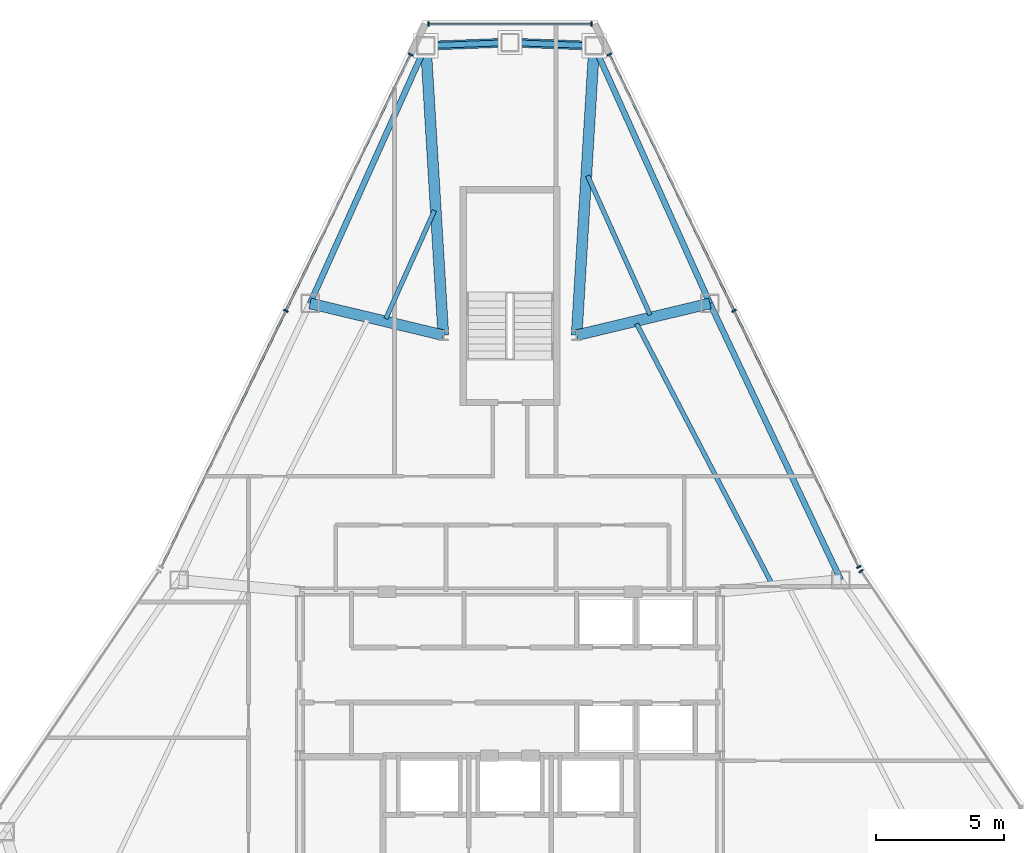
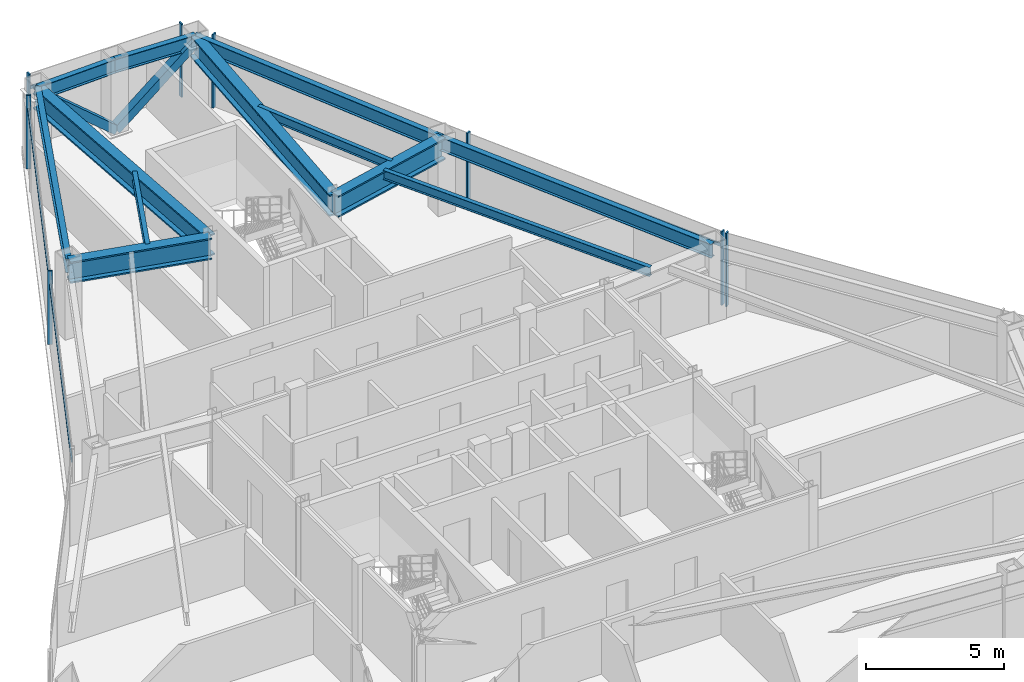
# One storey, part 7 of 12: 13 members, 12 beams, 4 elements without a shape of their own.
"""IFC4 building model written with IfcOpenShell, lengths in metres."""

from ifc_helpers import new_model, si_unit, direction, frame, origin, origin_2d, place, context, subcontext, project, spatial, rectangle, hollow_rectangle, i_section, extrude, source, transform, mapped, material, layer, layer_set, material_profile, profile_set, type_object, type_shapes, element, aggregate, save


model = new_model("IFC4")

# Units and contexts
model_context = context("Model", 3, precision=1e-05, world=origin(), true_north=direction((0.0, 1.0)))
body_context = subcontext(model_context, "Body", "Model", "MODEL_VIEW")
ifc_project = project(units=[si_unit("LENGTHUNIT", "METRE"), si_unit("AREAUNIT", "SQUARE_METRE"), si_unit("VOLUMEUNIT", "CUBIC_METRE"), si_unit("PLANEANGLEUNIT", "RADIAN"), si_unit("MASSUNIT", "GRAM", prefix="KILO")], contexts=[model_context])

# Site, building, storey
site_placement = place(None, origin())
site = spatial("IfcSite", under=ifc_project, at=site_placement, CompositionType="ELEMENT")
building_placement = place(site_placement, origin())
building = spatial("IfcBuilding", under=site, at=building_placement, Name="Varakhsha Concourse Tower", CompositionType="ELEMENT")
storey_placement = place(building_placement, frame((0.0, 0.0, 208.39990234375)))
storey = spatial("IfcBuildingStorey", under=building, at=storey_placement, Name="L59", CompositionType="ELEMENT", Elevation=208.39990234375)

# Beams
ifc_material_1 = material(Name="Structural Steel ASTM A992 Grade 50", Category="steel")
ifc_material_profile_1 = material_profile(ifc_material_1, i_section(OverallWidth=0.177978515625, OverallDepth=0.406982421875, WebThickness=0.008056640625, FlangeThickness=0.012939453125, at=origin_2d()), Name="W16X40")
ifc_profile_set_1 = profile_set([ifc_material_profile_1], Name="Structural Steel ASTM A992 Grade 50")
beam_type_1 = type_object("IfcBeamType", Name="BM-JST-W16X40", PredefinedType="JOIST", material=ifc_profile_set_1)
beam_1_placement = place(storey_placement, frame((37.05419921875, 46.068359375, 3.046630859375), z_axis=(-0.409947870427, -0.912108953762, 0.0), x_axis=(0.912108953762, -0.409947870427, 0.0)))
element("IfcBeam", 1, at=beam_1_placement, inside=storey, type_object=beam_type_1, Name="BM-TJST-L59-03", PredefinedType="JOIST", context=body_context, shape_type="SweptSolid", body=[
    extrude(i_section(OverallWidth=0.177978515625, OverallDepth=0.406982421875, WebThickness=0.008056640625, FlangeThickness=0.012939453125, at=origin_2d()), origin(), (0.0, 0.0, 1.0), 4.6279296875),
])
beam_2_placement = place(storey_placement, frame((50.219970703125, 31.49609375, 3.046630859375), z_axis=(-0.461466246879, 0.887157766686, 0.0), x_axis=(-0.887157766686, -0.461466246879, 0.0)))
element("IfcBeam", 2, at=beam_2_placement, inside=storey, type_object=beam_type_1, Name="BM-TJST-L59-17", PredefinedType="JOIST", context=body_context, shape_type="SweptSolid", body=[
    extrude(i_section(OverallWidth=0.177978515625, OverallDepth=0.406982421875, WebThickness=0.008056640625, FlangeThickness=0.012939453125, at=origin_2d()), origin(), (0.0, 0.0, 1.0), 11.444580078125),
])
beam_3_placement = place(storey_placement, frame((45.466796875, 41.99609375, 3.046630859375), z_axis=(-0.409938117482, 0.912113337166, 0.0), x_axis=(-0.912113337166, -0.409938117482, 0.0)))
element("IfcBeam", 3, at=beam_3_placement, inside=storey, type_object=beam_type_1, Name="BM-TJST-L59-18", PredefinedType="JOIST", context=body_context, shape_type="SweptSolid", body=[
    extrude(i_section(OverallWidth=0.177978515625, OverallDepth=0.406982421875, WebThickness=0.008056640625, FlangeThickness=0.012939453125, at=origin_2d()), origin(), (0.0, 0.0, 1.0), 5.9501953125),
])
ifc_material_profile_2 = material_profile(ifc_material_1, i_section(OverallWidth=0.423095703125, OverallDepth=0.947998046875, WebThickness=0.0380859375, FlangeThickness=0.06396484375, at=origin_2d()), Name="W36X302")
ifc_profile_set_2 = profile_set([ifc_material_profile_2], Name="Structural Steel ASTM A992 Grade 50")
beam_type_2 = type_object("IfcBeamType", Name="BM-OUTR-W36X302", PredefinedType="USERDEFINED", material=ifc_profile_set_2)
for number, where, z_axis, x_axis, name in (
    (4, (42.60009765625, 41.199951171875, 2.776123046875), (0.060381689378, 0.99817536114, 0.0), (-0.99817536114, 0.060381689378, 0.0), "L59 Radial Floor Girder 01"),
    (5, (37.39990234375, 41.199951171875, 2.776123046875), (-0.060381689378, 0.99817536114, 0.0), (-0.99817536114, -0.060381689378, 0.0), "L59 Radial Floor Girder 03"),
):
    element("IfcBeam", number, at=place(storey_placement, frame(where, z_axis=z_axis, x_axis=x_axis)), inside=storey, type_object=beam_type_2, Name=name, ObjectType="GIRDER", PredefinedType="USERDEFINED", context=body_context, shape_type="SweptSolid", body=[
        extrude(i_section(OverallWidth=0.423095703125, OverallDepth=0.947998046875, WebThickness=0.0380859375, FlangeThickness=0.06396484375, at=origin_2d()), origin(), (0.0, 0.0, 1.0), 11.313232421875),
    ])
for number, where, z_axis, x_axis, name in (
    (6, (37.39990234375, 41.199951171875, 2.776123046875), (-0.972612339094, 0.232433297619, 0.0), (-0.232433297619, -0.972612339094, 0.0), "L59 Radial Floor Girder 04"),
    (7, (42.60009765625, 41.199951171875, 2.776123046875), (0.972612339094, 0.232433297619, 0.0), (-0.232433297619, 0.972612339094, 0.0), "L59 Radial Floor Girder 18"),
):
    element("IfcBeam", number, at=place(storey_placement, frame(where, z_axis=z_axis, x_axis=x_axis)), inside=storey, type_object=beam_type_2, Name=name, ObjectType="GIRDER", PredefinedType="USERDEFINED", context=body_context, shape_type="SweptSolid", body=[
        extrude(i_section(OverallWidth=0.423095703125, OverallDepth=0.947998046875, WebThickness=0.0380859375, FlangeThickness=0.06396484375, at=origin_2d()), origin(), (0.0, 0.0, 1.0), 5.346435546875),
    ])
ifc_material_profile_3 = material_profile(ifc_material_1, i_section(OverallWidth=0.22900390625, OverallDepth=0.612060546875, WebThickness=0.011962890625, FlangeThickness=0.02001953125, at=origin_2d()), Name="W24X84")
ifc_profile_set_3 = profile_set([ifc_material_profile_3], Name="Structural Steel ASTM A992 Grade 50")
beam_type_3 = type_object("IfcBeamType", Name="BM-SPAN-W24X84", PredefinedType="SPANDREL", material=ifc_profile_set_3)
for number, where, z_axis, x_axis, name in (
    (8, (43.283203125, 52.492431640625, 2.944091796875), (-0.999273198752, 0.038119211106, 0.0), (-0.038119211106, -0.999273198752, 0.0), "BM-SPAN-L59-01"),
    (9, (40.0, 52.61767578125, 2.944091796875), (-0.999273198752, -0.038119211106, 0.0), (0.038119211106, -0.999273198752, 0.0), "BM-SPAN-L59-02"),
):
    element("IfcBeam", number, at=place(storey_placement, frame(where, z_axis=z_axis, x_axis=x_axis)), inside=storey, type_object=beam_type_3, Name=name, PredefinedType="SPANDREL", context=body_context, shape_type="SweptSolid", body=[
        extrude(i_section(OverallWidth=0.22900390625, OverallDepth=0.612060546875, WebThickness=0.011962890625, FlangeThickness=0.02001953125, at=origin_2d()), origin(), (0.0, 0.0, 1.0), 3.28564453125),
    ])
beam_4_placement = place(storey_placement, frame((36.716796875, 52.492431640625, 2.944091796875), z_axis=(-0.40994450771, -0.912110465129, 0.0), x_axis=(0.912110465129, -0.40994450771, 0.0)))
element("IfcBeam", 10, at=beam_4_placement, inside=storey, type_object=beam_type_3, Name="BM-SPAN-L59-03", PredefinedType="SPANDREL", context=body_context, shape_type="SweptSolid", body=[
    extrude(i_section(OverallWidth=0.22900390625, OverallDepth=0.612060546875, WebThickness=0.011962890625, FlangeThickness=0.02001953125, at=origin_2d()), origin(), (0.0, 0.0, 1.0), 11.01806640625),
])
beam_5_placement = place(storey_placement, frame((52.90625, 31.651611328125, 2.944091796875), z_axis=(-0.427721486509, 0.903910576318, 0.0), x_axis=(-0.903910576318, -0.427721486509, 0.0)))
element("IfcBeam", 11, at=beam_5_placement, inside=storey, type_object=beam_type_3, Name="BM-SPAN-L59-17", PredefinedType="SPANDREL", context=body_context, shape_type="SweptSolid", body=[
    extrude(i_section(OverallWidth=0.22900390625, OverallDepth=0.612060546875, WebThickness=0.011962890625, FlangeThickness=0.02001953125, at=origin_2d()), origin(), (0.0, 0.0, 1.0), 11.938232421875),
])
beam_6_placement = place(storey_placement, frame((47.800048828125, 42.442626953125, 2.944091796875), z_axis=(-0.40994450771, 0.912110465129, 0.0), x_axis=(-0.912110465129, -0.40994450771, 0.0)))
element("IfcBeam", 12, at=beam_6_placement, inside=storey, type_object=beam_type_3, Name="BM-SPAN-L59-18", PredefinedType="SPANDREL", context=body_context, shape_type="SweptSolid", body=[
    extrude(i_section(OverallWidth=0.22900390625, OverallDepth=0.612060546875, WebThickness=0.011962890625, FlangeThickness=0.02001953125, at=origin_2d()), origin(), (0.0, 0.0, 1.0), 11.01806640625),
])

# Members
ifc_material_2 = material(Name="Structural Steel ASTM A500 Grade C", Category="steel")
ifc_material_profile_4 = material_profile(ifc_material_2, hollow_rectangle(XDim=0.35009765625, YDim=0.35009765625, WallThickness=0.01611328125, at=origin_2d()), Name="HSS 350x350x16")
ifc_profile_set_4 = profile_set([ifc_material_profile_4], Name="Structural Steel ASTM A500 Grade C")
member_type_1 = type_object("IfcMemberType", Name="MB-TUBE-HSS350", PredefinedType="BRACE", material=ifc_profile_set_4)
shared_shape_1 = source(origin(), body_context, "Body", "SweptSolid", [
    extrude(hollow_rectangle(XDim=0.35009765625, YDim=0.35009765625, WallThickness=0.01611328125, at=origin_2d()), origin(), (0.0, 0.0, 1.0), 4.33642578125),
])
type_shapes(member_type_1, [shared_shape_1])
for number, where, z_axis, x_axis, name in (
    (13, (40.0, 52.61767578125, 0.1201171875), (0.757124713956, -0.02888198827, 0.6526315946), (0.038119211106, 0.999273198752, 0.0), "L59 Wind-Corner Tube Brace B01"),
    (14, (40.0, 52.61767578125, 0.1201171875), (-0.757124713956, -0.02888198827, 0.6526315946), (0.038119211106, -0.999273198752, 0.0), "L59 Wind-Corner Tube Brace B02"),
):
    element("IfcMember", number, at=place(storey_placement, frame(where, z_axis=z_axis, x_axis=x_axis)), inside=storey, type_object=member_type_1, Name=name, PredefinedType="BRACE", context=body_context, shape_type="MappedRepresentation", body=[
        mapped(shared_shape_1, transform((0.0, 0.0, 0.0), scale=1.0)),
    ])

# Curtain wall, members
ifc_material_3 = material(Name="Anodised Bronze Architectural Aluminium AA 6063-T6", Category="aluminium")
ifc_layer = layer(ifc_material_3, 0.199951171875, Name="CW-SYS-05")
ifc_layer_set = layer_set([ifc_layer], Name="Anodised Bronze Architectural Aluminium AA 6063-T6")
curtain_wall_type = type_object("IfcCurtainWallType", Name="CW-SYS-05", PredefinedType="NOTDEFINED", material=ifc_layer_set)
curtain_wall_1_placement = place(storey_placement, origin())
curtain_wall_1 = element("IfcCurtainWall", 15, at=curtain_wall_1_placement, inside=storey, type_object=curtain_wall_type, Name="L59 Chamfer Curtain Wall F1", PredefinedType="NOTDEFINED")
ifc_material_profile_5 = material_profile(ifc_material_3, rectangle(XDim=0.06494140625, YDim=0.179931640625, at=origin_2d()), Name="CWM-180X65")
ifc_profile_set_5 = profile_set([ifc_material_profile_5], Name="Anodised Bronze Architectural Aluminium AA 6063-T6")
member_type_2 = type_object("IfcMemberType", Name="CWM-180X65", PredefinedType="MULLION", material=ifc_profile_set_5)
shared_shape_2 = source(origin(), body_context, "Body", "SweptSolid", [
    extrude(rectangle(XDim=0.06494140625, YDim=0.179931640625, at=origin_2d()), origin(), (0.0, 0.0, 1.0), 3.25),
])
type_shapes(member_type_2, [shared_shape_2])
member_1_placement = place(storey_placement, frame((36.820068359375, 53.337646484375, 0.0), z_axis=(0.0, 0.0, 1.0), x_axis=(1.0, 0.0, 0.0)))
member_1 = element("IfcMember", 16, at=member_1_placement, type_object=member_type_2, Name="CW-L59-F1 Mullion 00", PredefinedType="MULLION", context=body_context, shape_type="MappedRepresentation", body=[
    mapped(shared_shape_2, transform((0.0, 0.0, 0.0), scale=1.0)),
])
member_2_placement = place(storey_placement, frame((43.179931640625, 53.337646484375, 0.0), z_axis=(0.0, 0.0, 1.0), x_axis=(1.0, 0.0, 0.0)))
member_2 = element("IfcMember", 17, at=member_2_placement, type_object=member_type_2, Name="CW-L59-F1 Mullion 01", PredefinedType="MULLION", context=body_context, shape_type="MappedRepresentation", body=[
    mapped(shared_shape_2, transform((0.0, 0.0, 0.0), scale=1.0)),
])

curtain_wall_2_placement = place(storey_placement, origin())
curtain_wall_2 = element("IfcCurtainWall", 18, at=curtain_wall_2_placement, inside=storey, type_object=curtain_wall_type, Name="L59 Crystal Curtain Wall F2", PredefinedType="NOTDEFINED")
member_3_placement = place(storey_placement, frame((31.259521484375, 42.155029296875, 0.0), z_axis=(0.0, 0.0, 1.0), x_axis=(0.437497178592, 0.899219783325, 0.0)))
member_3 = element("IfcMember", 19, at=member_3_placement, type_object=member_type_2, Name="CW-L59-F2 Mullion 01", PredefinedType="MULLION", context=body_context, shape_type="MappedRepresentation", body=[
    mapped(shared_shape_2, transform((0.0, 0.0, 0.0), scale=1.0)),
])
member_4_placement = place(storey_placement, frame((36.12255859375, 52.15087890625, 0.0), z_axis=(0.0, 0.0, 1.0), x_axis=(0.437497178592, 0.899219783325, 0.0)))
member_4 = element("IfcMember", 20, at=member_4_placement, type_object=member_type_2, Name="CW-L59-F2 Mullion 02", PredefinedType="MULLION", context=body_context, shape_type="MappedRepresentation", body=[
    mapped(shared_shape_2, transform((0.0, 0.0, 0.0), scale=1.0)),
])

# Curtain wall, member
curtain_wall_3_placement = place(storey_placement, origin())
curtain_wall_3 = element("IfcCurtainWall", 21, at=curtain_wall_3_placement, inside=storey, type_object=curtain_wall_type, Name="L59 Crystal Curtain Wall F8", PredefinedType="NOTDEFINED")
member_5_placement = place(storey_placement, frame((53.69482421875, 32.001708984375, 0.0), z_axis=(0.0, 0.0, 1.0), x_axis=(0.559998586649, -0.828493562408, 0.0)))
member_5 = element("IfcMember", 22, at=member_5_placement, type_object=member_type_2, Name="CW-L59-F8 Mullion 00", PredefinedType="MULLION", context=body_context, shape_type="MappedRepresentation", body=[
    mapped(shared_shape_2, transform((0.0, 0.0, 0.0), scale=1.0)),
])
aggregate(curtain_wall_3, [member_5])

# Curtain wall, members
curtain_wall_4_placement = place(storey_placement, origin())
curtain_wall_4 = element("IfcCurtainWall", 23, at=curtain_wall_4_placement, inside=storey, type_object=curtain_wall_type, Name="L59 Crystal Curtain Wall F9", PredefinedType="NOTDEFINED")
member_6_placement = place(storey_placement, frame((43.87744140625, 52.15087890625, 0.0), z_axis=(0.0, 0.0, 1.0), x_axis=(0.437497178592, -0.899219783325, 0.0)))
member_6 = element("IfcMember", 24, at=member_6_placement, type_object=member_type_2, Name="CW-L59-F9 Mullion 00", PredefinedType="MULLION", context=body_context, shape_type="MappedRepresentation", body=[
    mapped(shared_shape_2, transform((0.0, 0.0, 0.0), scale=1.0)),
])
member_7_placement = place(storey_placement, frame((48.740478515625, 42.1552734375, 0.0), z_axis=(0.0, 0.0, 1.0), x_axis=(0.437497178592, -0.899219783325, 0.0)))
member_7 = element("IfcMember", 25, at=member_7_placement, type_object=member_type_2, Name="CW-L59-F9 Mullion 01", PredefinedType="MULLION", context=body_context, shape_type="MappedRepresentation", body=[
    mapped(shared_shape_2, transform((0.0, 0.0, 0.0), scale=1.0)),
])
member_8_placement = place(storey_placement, frame((53.603759765625, 32.159423828125, 0.0), z_axis=(0.0, 0.0, 1.0), x_axis=(0.437497178592, -0.899219783325, 0.0)))
member_8 = element("IfcMember", 26, at=member_8_placement, type_object=member_type_2, Name="CW-L59-F9 Mullion 02", PredefinedType="MULLION", context=body_context, shape_type="MappedRepresentation", body=[
    mapped(shared_shape_2, transform((0.0, 0.0, 0.0), scale=1.0)),
])

# Member
ifc_material_profile_6 = material_profile(ifc_material_3, rectangle(XDim=0.06005859375, YDim=0.139892578125, at=origin_2d()), Name="CWT-140X60")
ifc_profile_set_6 = profile_set([ifc_material_profile_6], Name="Anodised Bronze Architectural Aluminium AA 6063-T6")
member_type_3 = type_object("IfcMemberType", Name="CWT-140X60", PredefinedType="USERDEFINED", material=ifc_profile_set_6)
shared_shape_3 = source(origin(), body_context, "Body", "SweptSolid", [
    extrude(rectangle(XDim=0.06005859375, YDim=0.139892578125, at=origin_2d()), origin(), (0.0, 0.0, 1.0), 22.23193359375),
])
member_9_placement = place(storey_placement, frame((26.396240234375, 32.159423828125, 2.60009765625), z_axis=(0.437492838403, 0.899221894944, 0.0), x_axis=(-0.899221894944, 0.437492838403, 0.0)))
member_9 = element("IfcMember", 27, at=member_9_placement, type_object=member_type_3, Name="CW-L59-F2 Transom 01", ObjectType="TRANSOM", PredefinedType="USERDEFINED", context=body_context, shape_type="MappedRepresentation", body=[
    mapped(shared_shape_3, transform((0.0, 0.0, 0.0), scale=1.0)),
])

aggregate(curtain_wall_2, [member_3, member_4, member_9])

member_10_placement = place(storey_placement, frame((43.87744140625, 52.15087890625, 2.60009765625), z_axis=(0.437492838403, -0.899221894944, 0.0), x_axis=(0.899221894944, 0.437492838403, 0.0)))
member_10 = element("IfcMember", 28, at=member_10_placement, type_object=member_type_3, Name="CW-L59-F9 Transom 01", ObjectType="TRANSOM", PredefinedType="USERDEFINED", context=body_context, shape_type="MappedRepresentation", body=[
    mapped(shared_shape_3, transform((0.0, 0.0, 0.0), scale=1.0)),
])

aggregate(curtain_wall_4, [member_6, member_7, member_8, member_10])

shared_shape_4 = source(origin(), body_context, "Body", "SweptSolid", [
    extrude(rectangle(XDim=0.06005859375, YDim=0.139892578125, at=origin_2d()), origin(), (0.0, 0.0, 1.0), 6.35986328125),
])
type_shapes(member_type_3, [shared_shape_3, shared_shape_4])
member_11_placement = place(storey_placement, frame((36.820068359375, 53.337646484375, 2.60009765625), z_axis=(1.0, 0.0, 0.0), x_axis=(0.0, 1.0, 0.0)))
member_11 = element("IfcMember", 29, at=member_11_placement, type_object=member_type_3, Name="CW-L59-F1 Transom 01", ObjectType="TRANSOM", PredefinedType="USERDEFINED", context=body_context, shape_type="MappedRepresentation", body=[
    mapped(shared_shape_4, transform((0.0, 0.0, 0.0), scale=1.0)),
])

aggregate(curtain_wall_1, [member_1, member_2, member_11])

save(model, "model.ifc")
